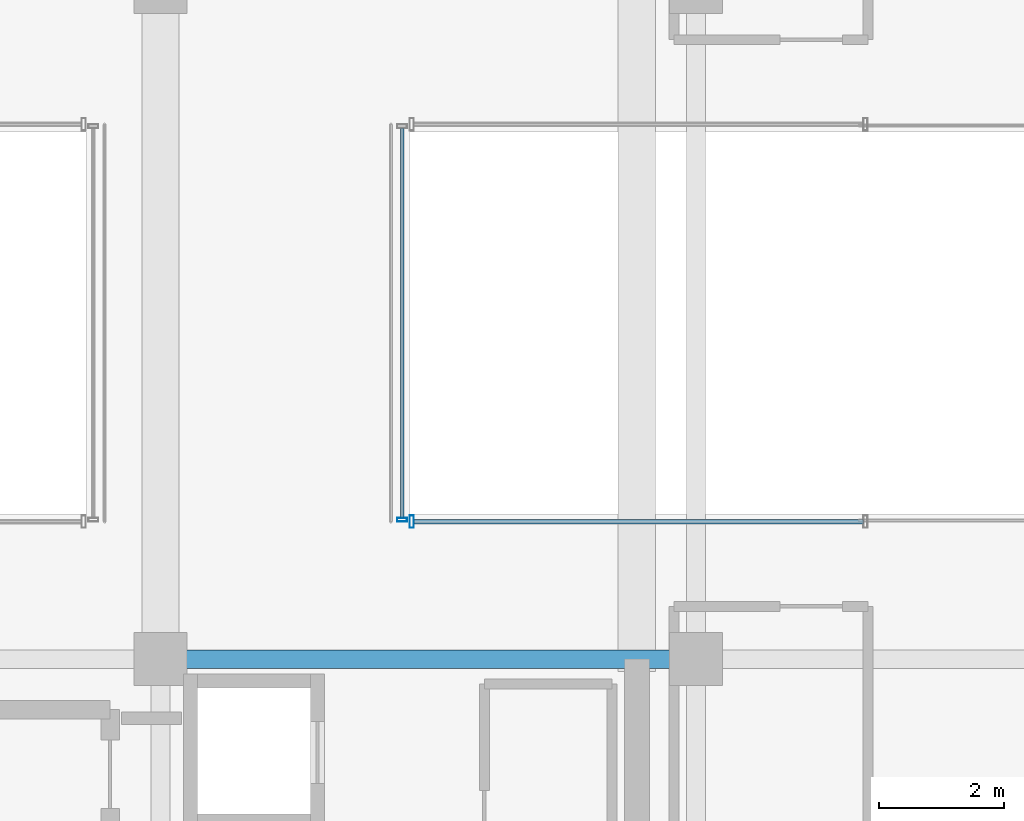
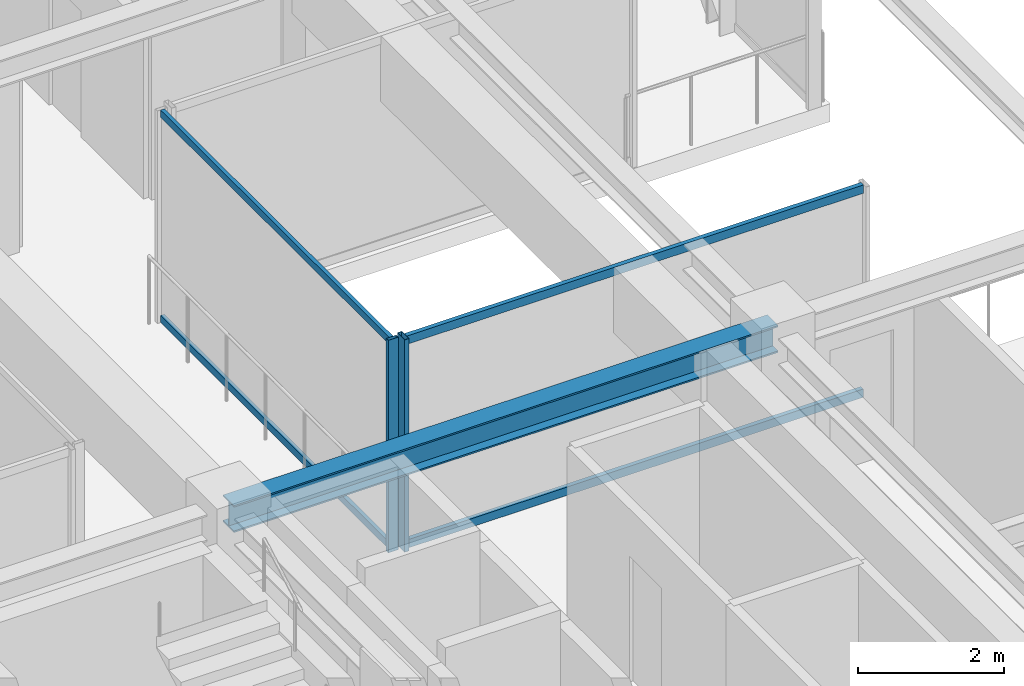
# One storey, part 19 of 39: 6 members, 1 beam, 2 elements without a shape of their own.
"""IFC4 building model written with IfcOpenShell, lengths in metres."""

from ifc_helpers import new_model, si_unit, direction, frame, origin, origin_2d, place, context, subcontext, project, spatial, hollow_rectangle, i_section, extrude, source, transform, mapped, material, material_profile, profile_set, type_object, element, aggregate, save


model = new_model("IFC4")

# Units and contexts
model_context = context("Model", 3, precision=1e-05, world=origin(), true_north=direction((0.0, 1.0)))
body_context = subcontext(model_context, "Body", "Model", "MODEL_VIEW")
ifc_project = project(units=[si_unit("LENGTHUNIT", "METRE"), si_unit("AREAUNIT", "SQUARE_METRE"), si_unit("VOLUMEUNIT", "CUBIC_METRE"), si_unit("PLANEANGLEUNIT", "RADIAN"), si_unit("MASSUNIT", "GRAM", prefix="KILO")], contexts=[model_context])

# Site, building, storey
site_placement = place(None, origin())
site = spatial("IfcSite", under=ifc_project, at=site_placement, CompositionType="ELEMENT")
building_placement = place(site_placement, origin())
building = spatial("IfcBuilding", under=site, at=building_placement, Name="Nahalor Promenade Grand Hotel", CompositionType="ELEMENT")
storey_placement = place(building_placement, frame((0.0, 0.0, 311.89990234375)))
storey = spatial("IfcBuildingStorey", under=building, at=storey_placement, Name="L80", CompositionType="ELEMENT", Elevation=311.89990234375)

# Beam
ifc_material_1 = material(Name="Steel S355JR", Category="steel")
ifc_material_profile_1 = material_profile(ifc_material_1, i_section(OverallWidth=0.3, OverallDepth=0.45, WebThickness=0.014, FlangeThickness=0.026, at=origin_2d()), Name="HEB 450")
ifc_profile_set_1 = profile_set([ifc_material_profile_1], Name="Steel S355JR")
beam_type = type_object("IfcBeamType", Name="Beam-Girder-HEB450", PredefinedType="BEAM", material=ifc_profile_set_1)
shared_shape_1 = source(origin(), body_context, "Body", "SweptSolid", [
    extrude(i_section(OverallWidth=0.3, OverallDepth=0.45, WebThickness=0.014, FlangeThickness=0.026, at=origin_2d()), origin(), (0.0, 0.0, 1.0), 8.60009765625),
])
beam_placement = place(storey_placement, frame((8.39990234375, -5.39990234375, 3.3251953125), z_axis=(1.0, 0.0, 0.0), x_axis=(0.0, 1.0, 0.0)))
element("IfcBeam", 1, at=beam_placement, inside=storey, type_object=beam_type, Name="BM-L80-GX-1-5", PredefinedType="BEAM", context=body_context, shape_type="MappedRepresentation", body=[
    mapped(shared_shape_1, transform((0.0, 0.0, 0.0), scale=1.0)),
])

# Curtain wall, members
ifc_material_2 = material(Name="Anodised Bronze Aluminium EN AW-6063 T6", Category="aluminium")
curtain_wall_type_1 = type_object("IfcCurtainWallType", Name="CW3 Elliptical-Void Collar Unitised Curtain Wall", PredefinedType="USERDEFINED", material=ifc_material_2)
curtain_wall_1_placement = place(storey_placement, origin())
curtain_wall_1 = element("IfcCurtainWall", 2, at=curtain_wall_1_placement, inside=storey, type_object=curtain_wall_type_1, Name="L80 Curtain Wall CW-L80-VOID-ES1", ObjectType="UNITISED_CURTAIN_WALL", PredefinedType="USERDEFINED")
ifc_material_profile_2 = material_profile(ifc_material_2, hollow_rectangle(XDim=0.07, YDim=0.14, WallThickness=0.004, at=origin_2d()), Name="CWT 70x140x4")
ifc_profile_set_2 = profile_set([ifc_material_profile_2], Name="Anodised Bronze Aluminium EN AW-6063 T6")
member_type_1 = type_object("IfcMemberType", Name="CWT3 Void Collar Transom 70x140", PredefinedType="USERDEFINED", material=ifc_profile_set_2)
shared_shape_2 = source(origin(), body_context, "Body", "SweptSolid", [
    extrude(hollow_rectangle(XDim=0.07, YDim=0.14, WallThickness=0.004, at=origin_2d()), origin(), (0.0, 0.0, 1.0), 7.219970703125),
])
member_1_placement = place(storey_placement, frame((12.469970703125, -3.19091796875, 0.070068359375), z_axis=(1.0, 0.0, 0.0), x_axis=(0.0, 1.0, 0.0)))
member_1 = element("IfcMember", 3, at=member_1_placement, type_object=member_type_1, Name="CW-L80-VOID-ES1 Transom 0-0", ObjectType="TRANSOM", PredefinedType="USERDEFINED", context=body_context, shape_type="MappedRepresentation", body=[
    mapped(shared_shape_2, transform((0.0, 0.0, 0.0), scale=1.0)),
])
member_2_placement = place(storey_placement, frame((12.469970703125, -3.19091796875, 3.47998046875), z_axis=(1.0, 0.0, 0.0), x_axis=(0.0, 1.0, 0.0)))
member_2 = element("IfcMember", 4, at=member_2_placement, type_object=member_type_1, Name="CW-L80-VOID-ES1 Transom 0-1", ObjectType="TRANSOM", PredefinedType="USERDEFINED", context=body_context, shape_type="MappedRepresentation", body=[
    mapped(shared_shape_2, transform((0.0, 0.0, 0.0), scale=1.0)),
])
ifc_material_profile_3 = material_profile(ifc_material_2, hollow_rectangle(XDim=0.07, YDim=0.2, WallThickness=0.005, at=origin_2d()), Name="CWM 70x200x5")
ifc_profile_set_3 = profile_set([ifc_material_profile_3], Name="Anodised Bronze Aluminium EN AW-6063 T6")
member_type_2 = type_object("IfcMemberType", Name="CWM3 Void Collar Mullion 70x200", PredefinedType="MULLION", material=ifc_profile_set_3)
shared_shape_3 = source(origin(), body_context, "Body", "SweptSolid", [
    extrude(hollow_rectangle(XDim=0.07, YDim=0.2, WallThickness=0.005, at=origin_2d()), origin(), (0.0, 0.0, 1.0), 3.550048828125),
])
member_3_placement = place(storey_placement, frame((12.43505859375, -3.19091796875, 0.0), z_axis=(0.0, 0.0, 1.0), x_axis=(1.0, 0.0, 0.0)))
member_3 = element("IfcMember", 5, at=member_3_placement, type_object=member_type_2, Name="CW-L80-VOID-ES1 Mullion 0", PredefinedType="MULLION", context=body_context, shape_type="MappedRepresentation", body=[
    mapped(shared_shape_3, transform((0.0, 0.0, 0.0), scale=1.0)),
])
aggregate(curtain_wall_1, [member_3, member_1, member_2])

curtain_wall_type_2 = type_object("IfcCurtainWallType", Name="CW4 Low-Iron Sky-Gallery Bridge Curtain Wall", PredefinedType="USERDEFINED", material=ifc_material_2)
curtain_wall_2_placement = place(storey_placement, origin())
curtain_wall_2 = element("IfcCurtainWall", 6, at=curtain_wall_2_placement, inside=storey, type_object=curtain_wall_type_2, Name="L80 Curtain Wall CW-L80-BRG-E", ObjectType="UNITISED_CURTAIN_WALL", PredefinedType="USERDEFINED")
ifc_material_profile_4 = material_profile(ifc_material_2, hollow_rectangle(XDim=0.06, YDim=0.16, WallThickness=0.004, at=origin_2d()), Name="CWM 60x160x4")
ifc_profile_set_4 = profile_set([ifc_material_profile_4], Name="Anodised Bronze Aluminium EN AW-6063 T6")
member_type_3 = type_object("IfcMemberType", Name="CWM4 Sky-Gallery Slim Mullion 60x160", PredefinedType="MULLION", material=ifc_profile_set_4)
shared_shape_4 = source(origin(), body_context, "Body", "SweptSolid", [
    extrude(hollow_rectangle(XDim=0.06, YDim=0.16, WallThickness=0.004, at=origin_2d()), origin(), (0.0, 0.0, 1.0), 3.550048828125),
])
member_4_placement = place(storey_placement, frame((12.280029296875, -3.160888671875, 0.0), z_axis=(0.0, 0.0, 1.0), x_axis=(0.0, 1.0, 0.0)))
member_4 = element("IfcMember", 7, at=member_4_placement, type_object=member_type_3, Name="CW-L80-BRG-E Mullion 0", PredefinedType="MULLION", context=body_context, shape_type="MappedRepresentation", body=[
    mapped(shared_shape_4, transform((0.0, 0.0, 0.0), scale=1.0)),
])
ifc_material_profile_5 = material_profile(ifc_material_2, hollow_rectangle(XDim=0.06, YDim=0.12, WallThickness=0.004, at=origin_2d()), Name="CWT 60x120x4")
ifc_profile_set_5 = profile_set([ifc_material_profile_5], Name="Anodised Bronze Aluminium EN AW-6063 T6")
member_type_4 = type_object("IfcMemberType", Name="CWT4 Sky-Gallery Slim Transom 60x120", PredefinedType="USERDEFINED", material=ifc_profile_set_5)
shared_shape_5 = source(origin(), body_context, "Body", "SweptSolid", [
    extrude(hollow_rectangle(XDim=0.06, YDim=0.12, WallThickness=0.004, at=origin_2d()), origin(), (0.0, 0.0, 1.0), 6.26220703125),
])
member_5_placement = place(storey_placement, frame((12.280029296875, -3.131103515625, 0.06005859375), z_axis=(0.0, 1.0, 0.0), x_axis=(-1.0, 0.0, 0.0)))
member_5 = element("IfcMember", 8, at=member_5_placement, type_object=member_type_4, Name="CW-L80-BRG-E Transom 0-0", ObjectType="TRANSOM", PredefinedType="USERDEFINED", context=body_context, shape_type="MappedRepresentation", body=[
    mapped(shared_shape_5, transform((0.0, 0.0, 0.0), scale=1.0)),
])
member_6_placement = place(storey_placement, frame((12.280029296875, -3.131103515625, 3.489990234375), z_axis=(0.0, 1.0, 0.0), x_axis=(-1.0, 0.0, 0.0)))
member_6 = element("IfcMember", 9, at=member_6_placement, type_object=member_type_4, Name="CW-L80-BRG-E Transom 0-1", ObjectType="TRANSOM", PredefinedType="USERDEFINED", context=body_context, shape_type="MappedRepresentation", body=[
    mapped(shared_shape_5, transform((0.0, 0.0, 0.0), scale=1.0)),
])
aggregate(curtain_wall_2, [member_4, member_5, member_6])

save(model, "model.ifc")
